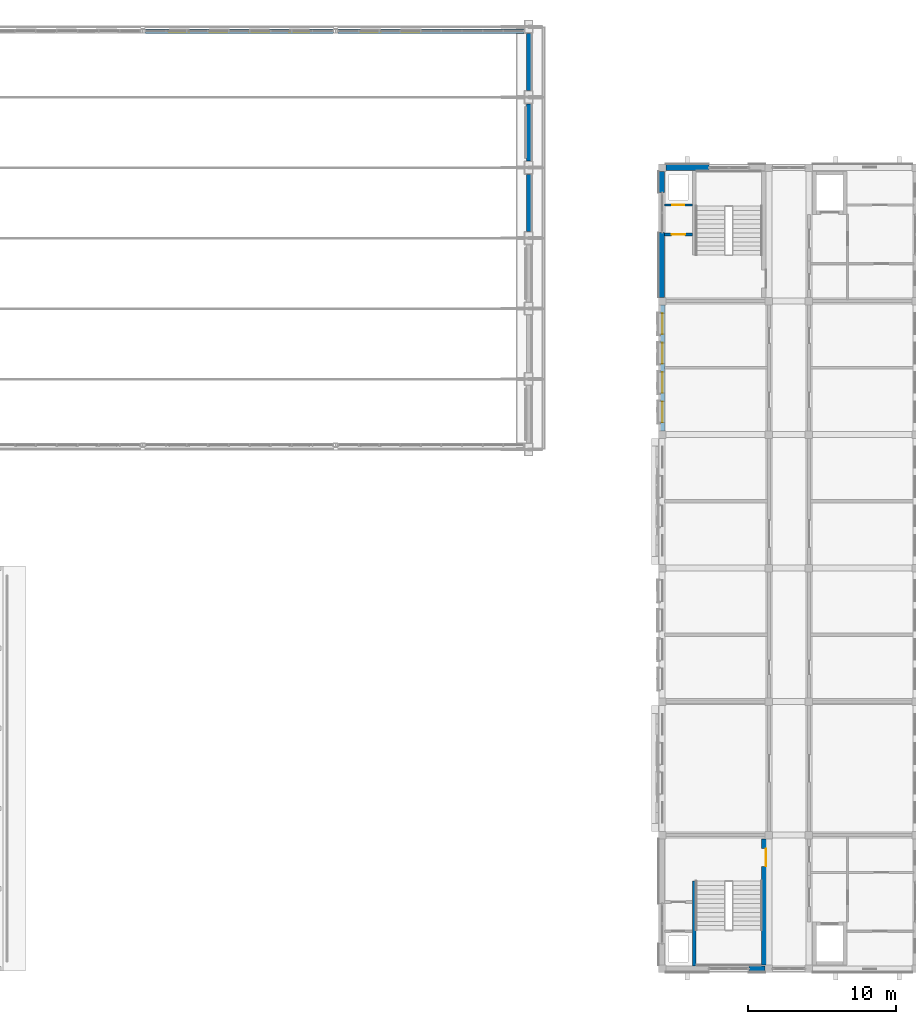
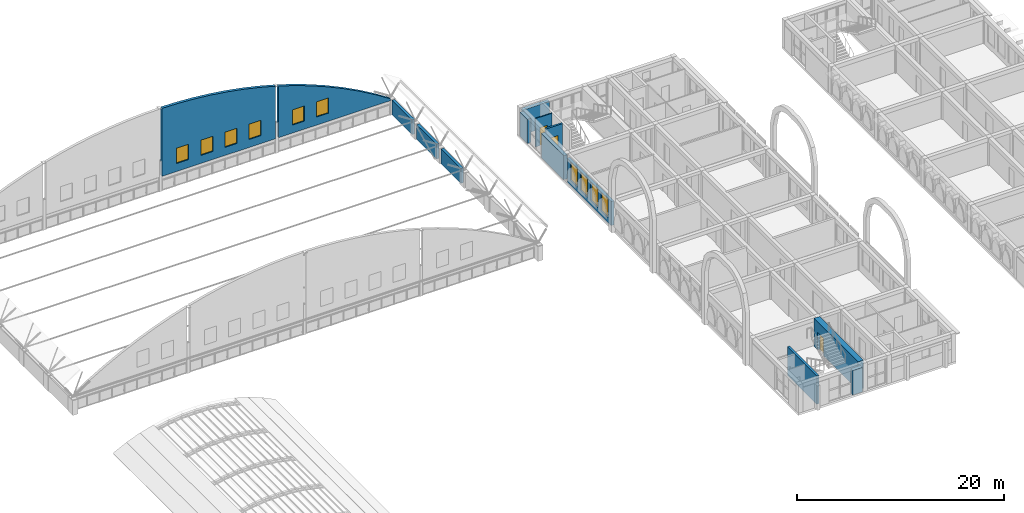
# One storey, part 37 of 65: 14 walls, 10 windows, 3 doors, 13 openings.
"""IFC4 building model written with IfcOpenShell, lengths in metres."""

from ifc_helpers import new_model, si_unit, direction, frame, frame_2d, origin, place, context, subcontext, project, spatial, polyline, rectangle, outline, extrude, material, layer, layer_set, type_object, element, fill, save


model = new_model("IFC4")

# Units and contexts
model_context = context("Model", 3, precision=1e-05, world=origin(), true_north=direction((0.0, 1.0)))
body_context = subcontext(model_context, "Body", "Model", "MODEL_VIEW")
ifc_project = project(units=[si_unit("LENGTHUNIT", "METRE"), si_unit("AREAUNIT", "SQUARE_METRE"), si_unit("VOLUMEUNIT", "CUBIC_METRE"), si_unit("PLANEANGLEUNIT", "RADIAN"), si_unit("MASSUNIT", "GRAM", prefix="KILO")], contexts=[model_context])

# Site, building, storey
site_placement = place(None, origin())
site = spatial("IfcSite", under=ifc_project, at=site_placement, CompositionType="ELEMENT")
building_placement = place(site_placement, origin())
building = spatial("IfcBuilding", under=site, at=building_placement, Name="Elbe Cascade School", CompositionType="ELEMENT")
storey_placement = place(building_placement, frame((0.0, 0.0, 11.699951171875)))
storey = spatial("IfcBuildingStorey", under=building, at=storey_placement, Name="L03", CompositionType="ELEMENT", Elevation=11.699951171875)

# Wall, opening, door
ifc_material_1 = material(Name="Masonry - lime-sand block, plastered", Category="masonry")
ifc_layer_1 = layer(ifc_material_1, 0.114990234375)
ifc_layer_set_1 = layer_set([ifc_layer_1], Name="Masonry - lime-sand block, plastered")
wall_type_1 = type_object("IfcWallType", Name="Bar light partition wall lime-sand block 115", PredefinedType="PARTITIONING", material=ifc_layer_set_1)
wall_1_placement = place(storey_placement, frame((69.179931640625, 57.47998046875, 0.0), z_axis=(0.0, 0.0, 1.0), x_axis=(1.0, 0.0, 0.0)))
wall_1 = element("IfcWall", 1, at=wall_1_placement, inside=storey, type_object=wall_type_1, Name="Bar light partition wall lime-sand block 115", PredefinedType="PARTITIONING", context=body_context, shape_type="SweptSolid", body=[
    extrude(rectangle(XDim=1.8701171875, YDim=0.114990234375, at=frame_2d((0.93505859375, 0.0))), origin(), (0.0, 0.0, 1.0), 3.35009765625),
])
opening_1_placement = place(wall_1_placement, frame((0.52001953125, 0.0, 0.0)))
opening_1 = element("IfcOpeningElement", 2, at=opening_1_placement, cuts=wall_1, Name="Opening D3.027", PredefinedType="OPENING", context=body_context, shape_type="SweptSolid", body=[
    extrude(rectangle(XDim=0.800048828125, YDim=2.10009765625, at=frame_2d((0.39990234375, 1.050048828125))), frame((0.0, 0.0673828125, 0.0), z_axis=(0.0, -1.0, 0.0), x_axis=(1.0, 0.0, 0.0)), (0.0, 0.0, 1.0), 0.135009765625),
])
ifc_material_2 = material(Name="Timber door leaf, steel frame", Category="steel")
door_type_1 = type_object("IfcDoorType", Name="Bar door 800x2100", OperationType="NOTDEFINED", PredefinedType="DOOR", material=ifc_material_2)
door_1_placement = place(opening_1_placement, origin())
door_1 = element("IfcDoor", 3, at=door_1_placement, inside=storey, type_object=door_type_1, Name="Door A3.14", OperationType="SINGLE_SWING_LEFT", OverallHeight=2.10009765625, OverallWidth=0.800048828125, PredefinedType="DOOR", context=body_context, shape_type="SweptSolid", body=[
    extrude(rectangle(XDim=0.800048828125, YDim=2.10009765625, at=frame_2d((0.39990234375, 1.050048828125))), frame((0.0, 0.02490234375, 0.0), z_axis=(0.0, -1.0, 0.0), x_axis=(1.0, 0.0, 0.0)), (0.0, 0.0, 1.0), 0.050048828125),
])
fill(opening_1, door_1)

# Wall
ifc_material_3 = material(Name="Concrete C30/37", Category="concrete")
ifc_layer_2 = layer(ifc_material_3, 0.25)
ifc_layer_set_2 = layer_set([ifc_layer_2], Name="Concrete C30/37")
wall_type_2 = type_object("IfcWallType", Name="Bar stair core wall RC 250", PredefinedType="SOLIDWALL", material=ifc_layer_set_2)
wall_2_placement = place(storey_placement, frame((71.175048828125, 6.179931640625, 0.0), z_axis=(0.0, 0.0, 1.0), x_axis=(0.0, 1.0, 0.0)))
element("IfcWall", 4, at=wall_2_placement, inside=storey, type_object=wall_type_2, Name="Bar stair core wall RC 250", PredefinedType="SOLIDWALL", context=body_context, shape_type="SweptSolid", body=[
    extrude(rectangle(XDim=5.719970703125, YDim=0.25, at=frame_2d((2.85986328125, 0.0))), origin(), (0.0, 0.0, 1.0), 3.35009765625),
])

# Wall, opening, door
ifc_material_4 = material(Name="Concrete C30/37", Category="concrete")
ifc_layer_3 = layer(ifc_material_4, 0.60009765625)
ifc_layer_set_3 = layer_set([ifc_layer_3], Name="Concrete C30/37")
wall_type_3 = type_object("IfcWallType", Name="Bar stair core wall RC 600", PredefinedType="SOLIDWALL", material=ifc_layer_set_3)
wall_3_placement = place(storey_placement, frame((76.0, 6.25, 0.0), z_axis=(0.0, 0.0, 1.0), x_axis=(0.0, 1.0, 0.0)))
wall_3 = element("IfcWall", 5, at=wall_3_placement, inside=storey, type_object=wall_type_3, Name="Bar stair core wall RC 600", PredefinedType="SOLIDWALL", context=body_context, shape_type="SweptSolid", body=[
    extrude(rectangle(XDim=8.5, YDim=0.60009765625, at=frame_2d((4.25, 0.0))), origin(), (0.0, 0.0, 1.0), 3.35009765625),
])
opening_2_placement = place(wall_3_placement, frame((6.64990234375, 0.0, 0.0)))
opening_2 = element("IfcOpeningElement", 6, at=opening_2_placement, cuts=wall_3, Name="Opening D3.008", PredefinedType="OPENING", context=body_context, shape_type="SweptSolid", body=[
    extrude(rectangle(XDim=1.199951171875, YDim=2.10009765625, at=frame_2d((0.60009765625, 1.050048828125))), frame((0.0, 0.31005859375, 0.0), z_axis=(0.0, -1.0, 0.0), x_axis=(1.0, 0.0, 0.0)), (0.0, 0.0, 1.0), 0.6201171875),
])
ifc_material_5 = material(Name="Timber door leaf, fire-resisting and smoke-tight, steel frame", Category="steel")
door_type_2 = type_object("IfcDoorType", Name="Bar door FD30S 1200x2100", OperationType="NOTDEFINED", PredefinedType="DOOR", material=ifc_material_5)
door_2_placement = place(opening_2_placement, origin())
door_2 = element("IfcDoor", 7, at=door_2_placement, inside=storey, type_object=door_type_2, Name="Door A3.03", OperationType="SINGLE_SWING_RIGHT", OverallHeight=2.10009765625, OverallWidth=1.199951171875, PredefinedType="DOOR", context=body_context, shape_type="SweptSolid", body=[
    extrude(rectangle(XDim=1.199951171875, YDim=2.10009765625, at=frame_2d((0.60009765625, 1.050048828125))), frame((0.0, 0.02490234375, 0.0), z_axis=(0.0, -1.0, 0.0), x_axis=(1.0, 0.0, 0.0)), (0.0, 0.0, 1.0), 0.050048828125),
])
fill(opening_2, door_2)

ifc_material_6 = material(Name="Concrete C30/37", Category="concrete")
ifc_layer_4 = layer(ifc_material_6, 0.199951171875)
ifc_layer_set_4 = layer_set([ifc_layer_4], Name="Concrete C30/37")
wall_type_4 = type_object("IfcWallType", Name="Bar stair lobby wall RC 200", PredefinedType="SOLIDWALL", material=ifc_layer_set_4)
wall_4_placement = place(storey_placement, frame((69.179931640625, 55.5, 0.0), z_axis=(0.0, 0.0, 1.0), x_axis=(1.0, 0.0, 0.0)))
wall_4 = element("IfcWall", 8, at=wall_4_placement, inside=storey, type_object=wall_type_4, Name="Bar stair lobby wall RC 200", PredefinedType="SOLIDWALL", context=body_context, shape_type="SweptSolid", body=[
    extrude(rectangle(XDim=1.8701171875, YDim=0.199951171875, at=frame_2d((0.93505859375, 0.0))), origin(), (0.0, 0.0, 1.0), 3.35009765625),
])
opening_3_placement = place(wall_4_placement, frame((0.469970703125, 0.0, 0.0)))
opening_3 = element("IfcOpeningElement", 9, at=opening_3_placement, cuts=wall_4, Name="Opening D3.025", PredefinedType="OPENING", context=body_context, shape_type="SweptSolid", body=[
    extrude(rectangle(XDim=0.89990234375, YDim=2.10009765625, at=frame_2d((0.449951171875, 1.050048828125))), frame((0.0, 0.10986328125, 0.0), z_axis=(0.0, -1.0, 0.0), x_axis=(1.0, 0.0, 0.0)), (0.0, 0.0, 1.0), 0.219970703125),
])
ifc_material_7 = material(Name="Timber door leaf, fire-resisting and smoke-tight, steel frame", Category="steel")
door_type_3 = type_object("IfcDoorType", Name="Bar door FD30S 900x2100", OperationType="NOTDEFINED", PredefinedType="DOOR", material=ifc_material_7)
door_3_placement = place(opening_3_placement, origin())
door_3 = element("IfcDoor", 10, at=door_3_placement, inside=storey, type_object=door_type_3, Name="Door A3.13", OperationType="SINGLE_SWING_RIGHT", OverallHeight=2.10009765625, OverallWidth=0.89990234375, PredefinedType="DOOR", context=body_context, shape_type="SweptSolid", body=[
    extrude(rectangle(XDim=0.89990234375, YDim=2.10009765625, at=frame_2d((0.449951171875, 1.050048828125))), frame((0.0, 0.02490234375, 0.0), z_axis=(0.0, -1.0, 0.0), x_axis=(1.0, 0.0, 0.0)), (0.0, 0.0, 1.0), 0.050048828125),
])
fill(opening_3, door_3)

# Wall, openings, windows
ifc_material_8 = material(Name="Brick masonry - red clinker, cavity wall with render backing", Category="masonry")
ifc_layer_5 = layer(ifc_material_8, 0.300048828125)
ifc_layer_set_5 = layer_set([ifc_layer_5], Name="Brick masonry - red clinker, cavity wall with render backing")
wall_type_5 = type_object("IfcWallType", Name="Bars envelope External wall - clinker brick cavity, 300 upper floors", PredefinedType="STANDARD", material=ifc_layer_set_5)
wall_5_placement = place(storey_placement, frame((69.030029296875, 42.25, 0.0), z_axis=(0.0, 0.0, 1.0), x_axis=(0.0, 1.0, 0.0)))
wall_5 = element("IfcWall", 11, at=wall_5_placement, inside=storey, type_object=wall_type_5, Name="External wall W30 A.L03.w5", PredefinedType="STANDARD", context=body_context, shape_type="SweptSolid", body=[
    extrude(rectangle(XDim=8.5, YDim=0.300048828125, at=frame_2d((4.25, 0.0))), origin(), (0.0, 0.0, 1.0), 2.85009765625),
])
opening_4_placement = place(wall_5_placement, frame((0.580078125, 0.0, 0.60009765625)))
opening_4 = element("IfcOpeningElement", 12, at=opening_4_placement, cuts=wall_5, Name="Opening W3.028", PredefinedType="OPENING", context=body_context, shape_type="SweptSolid", body=[
    extrude(rectangle(XDim=1.39990234375, YDim=2.199951171875, at=frame_2d((0.699951171875, 1.10009765625))), frame((0.0, 0.159912109375, 0.0), z_axis=(0.0, -1.0, 0.0), x_axis=(1.0, 0.0, 0.0)), (0.0, 0.0, 1.0), 0.320068359375),
])
opening_5_placement = place(wall_5_placement, frame((2.56005859375, 0.0, 0.60009765625)))
opening_5 = element("IfcOpeningElement", 13, at=opening_5_placement, cuts=wall_5, Name="Opening W3.030", PredefinedType="OPENING", context=body_context, shape_type="SweptSolid", body=[
    extrude(rectangle(XDim=1.39990234375, YDim=2.199951171875, at=frame_2d((0.699951171875, 1.10009765625))), frame((0.0, 0.159912109375, 0.0), z_axis=(0.0, -1.0, 0.0), x_axis=(1.0, 0.0, 0.0)), (0.0, 0.0, 1.0), 0.320068359375),
])
opening_6_placement = place(wall_5_placement, frame((4.5400390625, 0.0, 0.60009765625)))
opening_6 = element("IfcOpeningElement", 14, at=opening_6_placement, cuts=wall_5, Name="Opening W3.032", PredefinedType="OPENING", context=body_context, shape_type="SweptSolid", body=[
    extrude(rectangle(XDim=1.39990234375, YDim=2.199951171875, at=frame_2d((0.699951171875, 1.10009765625))), frame((0.0, 0.159912109375, 0.0), z_axis=(0.0, -1.0, 0.0), x_axis=(1.0, 0.0, 0.0)), (0.0, 0.0, 1.0), 0.320068359375),
])
opening_7_placement = place(wall_5_placement, frame((6.52001953125, 0.0, 0.60009765625)))
opening_7 = element("IfcOpeningElement", 15, at=opening_7_placement, cuts=wall_5, Name="Opening W3.034", PredefinedType="OPENING", context=body_context, shape_type="SweptSolid", body=[
    extrude(rectangle(XDim=1.39990234375, YDim=2.199951171875, at=frame_2d((0.699951171875, 1.10009765625))), frame((0.0, 0.159912109375, 0.0), z_axis=(0.0, -1.0, 0.0), x_axis=(1.0, 0.0, 0.0)), (0.0, 0.0, 1.0), 0.320068359375),
])
ifc_material_9 = material(Name="Aluminium frame with double glazing, bronze anodised", Category="aluminium")
window_type_1 = type_object("IfcWindowType", Name="Bars envelope Window 1400 x 2200, classroom, aluminium double glazed", PartitioningType="DOUBLE_PANEL_VERTICAL", PredefinedType="WINDOW", material=ifc_material_9)
window_1_placement = place(opening_4_placement, origin())
window_1 = element("IfcWindow", 16, at=window_1_placement, inside=storey, type_object=window_type_1, Name="Window WN7 A.L03.w5.1", OverallHeight=2.199951171875, OverallWidth=1.39990234375, PartitioningType="DOUBLE_PANEL_VERTICAL", PredefinedType="WINDOW", context=body_context, shape_type="SweptSolid", body=[
    extrude(rectangle(XDim=1.39990234375, YDim=2.199951171875, at=frame_2d((0.699951171875, 1.10009765625))), frame((0.0, 0.030029296875, 0.0), z_axis=(0.0, -1.0, 0.0), x_axis=(1.0, 0.0, 0.0)), (0.0, 0.0, 1.0), 0.06005859375),
])
fill(opening_4, window_1)
window_2_placement = place(opening_5_placement, origin())
window_2 = element("IfcWindow", 17, at=window_2_placement, inside=storey, type_object=window_type_1, Name="Window WN7 A.L03.w5.2", OverallHeight=2.199951171875, OverallWidth=1.39990234375, PartitioningType="DOUBLE_PANEL_VERTICAL", PredefinedType="WINDOW", context=body_context, shape_type="SweptSolid", body=[
    extrude(rectangle(XDim=1.39990234375, YDim=2.199951171875, at=frame_2d((0.699951171875, 1.10009765625))), frame((0.0, 0.030029296875, 0.0), z_axis=(0.0, -1.0, 0.0), x_axis=(1.0, 0.0, 0.0)), (0.0, 0.0, 1.0), 0.06005859375),
])
fill(opening_5, window_2)
window_3_placement = place(opening_6_placement, origin())
window_3 = element("IfcWindow", 18, at=window_3_placement, inside=storey, type_object=window_type_1, Name="Window WN7 A.L03.w5.3", OverallHeight=2.199951171875, OverallWidth=1.39990234375, PartitioningType="DOUBLE_PANEL_VERTICAL", PredefinedType="WINDOW", context=body_context, shape_type="SweptSolid", body=[
    extrude(rectangle(XDim=1.39990234375, YDim=2.199951171875, at=frame_2d((0.699951171875, 1.10009765625))), frame((0.0, 0.030029296875, 0.0), z_axis=(0.0, -1.0, 0.0), x_axis=(1.0, 0.0, 0.0)), (0.0, 0.0, 1.0), 0.06005859375),
])
fill(opening_6, window_3)
window_4_placement = place(opening_7_placement, origin())
window_4 = element("IfcWindow", 19, at=window_4_placement, inside=storey, type_object=window_type_1, Name="Window WN7 A.L03.w5.4", OverallHeight=2.199951171875, OverallWidth=1.39990234375, PartitioningType="DOUBLE_PANEL_VERTICAL", PredefinedType="WINDOW", context=body_context, shape_type="SweptSolid", body=[
    extrude(rectangle(XDim=1.39990234375, YDim=2.199951171875, at=frame_2d((0.699951171875, 1.10009765625))), frame((0.0, 0.030029296875, 0.0), z_axis=(0.0, -1.0, 0.0), x_axis=(1.0, 0.0, 0.0)), (0.0, 0.0, 1.0), 0.06005859375),
])
fill(opening_7, window_4)

# Walls
ifc_material_10 = material(Name="Brick masonry - red clinker, solid, sandstone-faced", Category="masonry")
ifc_layer_6 = layer(ifc_material_10, 0.39990234375)
ifc_layer_set_6 = layer_set([ifc_layer_6], Name="Brick masonry - red clinker, solid, sandstone-faced")
wall_type_6 = type_object("IfcWallType", Name="Bars envelope External wall - solid masonry core strip, sandstone faced, 400", PredefinedType="STANDARD", material=ifc_layer_set_6)
wall_6_placement = place(storey_placement, frame((68.97998046875, 51.25, 0.0), z_axis=(0.0, 0.0, 1.0), x_axis=(0.0, 1.0, 0.0)))
element("IfcWall", 20, at=wall_6_placement, inside=storey, type_object=wall_type_6, Name="External wall W31 A.L03.w6a", PredefinedType="STANDARD", context=body_context, shape_type="SweptSolid", body=[
    extrude(rectangle(XDim=4.360107421875, YDim=0.39990234375, at=frame_2d((2.18017578125, 0.0))), origin(), (0.0, 0.0, 1.0), 2.85009765625),
])
wall_7_placement = place(storey_placement, frame((68.97998046875, 58.31005859375, 0.0), z_axis=(0.0, 0.0, 1.0), x_axis=(0.0, 1.0, 0.0)))
element("IfcWall", 21, at=wall_7_placement, inside=storey, type_object=wall_type_6, Name="External wall W31 A.L03.w6b", PredefinedType="STANDARD", context=body_context, shape_type="SweptSolid", body=[
    extrude(rectangle(XDim=1.43994140625, YDim=0.39990234375, at=frame_2d((0.719970703125, 0.0))), origin(), (0.0, 0.0, 1.0), 2.85009765625),
])
wall_8_placement = place(storey_placement, frame((75.949951171875, 5.97998046875, 0.0), z_axis=(0.0, 0.0, 1.0), x_axis=(-1.0, 0.0, 0.0)))
element("IfcWall", 22, at=wall_8_placement, inside=storey, type_object=wall_type_6, Name="External wall W31 A.L03.s1b", PredefinedType="STANDARD", context=body_context, shape_type="SweptSolid", body=[
    extrude(rectangle(XDim=1.099853515625, YDim=0.39990234375, at=frame_2d((0.5498046875, 0.0))), origin(), (0.0, 0.0, 1.0), 2.900146484375),
])
wall_9_placement = place(storey_placement, frame((69.25, 60.02001953125, 0.0), z_axis=(0.0, 0.0, 1.0), x_axis=(1.0, 0.0, 0.0)))
element("IfcWall", 23, at=wall_9_placement, inside=storey, type_object=wall_type_6, Name="External wall W31 A.L03.n1a", PredefinedType="STANDARD", context=body_context, shape_type="SweptSolid", body=[
    extrude(rectangle(XDim=2.89990234375, YDim=0.39990234375, at=frame_2d((1.449951171875, 0.0))), origin(), (0.0, 0.0, 1.0), 2.900146484375),
])

# Wall, openings, windows
ifc_material_11 = material(Name="Brick masonry - red clinker", Category="masonry")
ifc_layer_7 = layer(ifc_material_11, 0.300048828125)
ifc_layer_set_7 = layer_set([ifc_layer_7], Name="Brick masonry - red clinker")
wall_type_7 = type_object("IfcWallType", Name="Hall brick gable wall 300", PredefinedType="SOLIDWALL", material=ifc_layer_set_7)
wall_10_placement = place(storey_placement, frame((34.14990234375, 69.199951171875, 1.75), z_axis=(0.0, 0.0, 1.0), x_axis=(1.0, 0.0, 0.0)))
wall_10 = element("IfcWall", 24, at=wall_10_placement, inside=storey, type_object=wall_type_7, Name="Brick gable N3", PredefinedType="SOLIDWALL", context=body_context, shape_type="SweptSolid", body=[
    extrude(outline(polyline([(0.0, 0.0), (12.7001953125, 0.0), (12.699951171875, 6.20263671875), (10.992919921875, 6.664306640625), (9.1357421875, 7.0859375), (7.278564453125, 7.42822265625), (5.42138671875, 7.692626953125), (3.564208984375, 7.880615234375), (1.70703125, 7.9931640625), (0.0, 8.027587890625), (0.0, 0.0)])), frame((0.0, 0.14990234375, 0.0), z_axis=(0.0, -1.0, 0.0), x_axis=(1.0, 0.0, 0.0)), (0.0, 0.0, 1.0), 0.300048828125),
])
opening_8_placement = place(wall_10_placement, frame((1.625, 0.0, 0.949951171875)))
opening_8 = element("IfcOpeningElement", 25, at=opening_8_placement, cuts=wall_10, Name="Opening W3.101", PredefinedType="OPENING", context=body_context, shape_type="SweptSolid", body=[
    extrude(rectangle(XDim=1.35009765625, YDim=1.800048828125, at=frame_2d((0.675048828125, 0.89990234375))), frame((0.0, 0.159912109375, 0.0), z_axis=(0.0, -1.0, 0.0), x_axis=(1.0, 0.0, 0.0)), (0.0, 0.0, 1.0), 0.320068359375),
])
opening_9_placement = place(wall_10_placement, frame((4.324951171875, 0.0, 0.949951171875)))
opening_9 = element("IfcOpeningElement", 26, at=opening_9_placement, cuts=wall_10, Name="Opening W3.102", PredefinedType="OPENING", context=body_context, shape_type="SweptSolid", body=[
    extrude(rectangle(XDim=1.35009765625, YDim=1.800048828125, at=frame_2d((0.675048828125, 0.89990234375))), frame((0.0, 0.159912109375, 0.0), z_axis=(0.0, -1.0, 0.0), x_axis=(1.0, 0.0, 0.0)), (0.0, 0.0, 1.0), 0.320068359375),
])
opening_10_placement = place(wall_10_placement, frame((7.02490234375, 0.0, 0.949951171875)))
opening_10 = element("IfcOpeningElement", 27, at=opening_10_placement, cuts=wall_10, Name="Opening W3.103", PredefinedType="OPENING", context=body_context, shape_type="SweptSolid", body=[
    extrude(rectangle(XDim=1.35009765625, YDim=1.800048828125, at=frame_2d((0.675048828125, 0.89990234375))), frame((0.0, 0.159912109375, 0.0), z_axis=(0.0, -1.0, 0.0), x_axis=(1.0, 0.0, 0.0)), (0.0, 0.0, 1.0), 0.320068359375),
])
opening_11_placement = place(wall_10_placement, frame((9.72509765625, 0.0, 0.949951171875)))
opening_11 = element("IfcOpeningElement", 28, at=opening_11_placement, cuts=wall_10, Name="Opening W3.104", PredefinedType="OPENING", context=body_context, shape_type="SweptSolid", body=[
    extrude(rectangle(XDim=1.35009765625, YDim=1.800048828125, at=frame_2d((0.675048828125, 0.89990234375))), frame((0.0, 0.159912109375, 0.0), z_axis=(0.0, -1.0, 0.0), x_axis=(1.0, 0.0, 0.0)), (0.0, 0.0, 1.0), 0.320068359375),
])
ifc_material_12 = material(Name="Glass - double glazed low-E", Category="glass")
window_type_2 = type_object("IfcWindowType", Name="Hall gable window 1350x1800", PartitioningType="SINGLE_PANEL", PredefinedType="WINDOW", material=ifc_material_12)
window_5_placement = place(opening_8_placement, origin())
window_5 = element("IfcWindow", 29, at=window_5_placement, inside=storey, type_object=window_type_2, Name="Gable window N3.1", OverallHeight=1.800048828125, OverallWidth=1.35009765625, PartitioningType="SINGLE_PANEL", PredefinedType="WINDOW", context=body_context, shape_type="SweptSolid", body=[
    extrude(rectangle(XDim=1.35009765625, YDim=1.800048828125, at=frame_2d((0.675048828125, 0.89990234375))), frame((0.0, 0.030029296875, 0.0), z_axis=(0.0, -1.0, 0.0), x_axis=(1.0, 0.0, 0.0)), (0.0, 0.0, 1.0), 0.06005859375),
])
fill(opening_8, window_5)
window_6_placement = place(opening_9_placement, origin())
window_6 = element("IfcWindow", 30, at=window_6_placement, inside=storey, type_object=window_type_2, Name="Gable window N3.2", OverallHeight=1.800048828125, OverallWidth=1.35009765625, PartitioningType="SINGLE_PANEL", PredefinedType="WINDOW", context=body_context, shape_type="SweptSolid", body=[
    extrude(rectangle(XDim=1.35009765625, YDim=1.800048828125, at=frame_2d((0.675048828125, 0.89990234375))), frame((0.0, 0.030029296875, 0.0), z_axis=(0.0, -1.0, 0.0), x_axis=(1.0, 0.0, 0.0)), (0.0, 0.0, 1.0), 0.06005859375),
])
fill(opening_9, window_6)
window_7_placement = place(opening_10_placement, origin())
window_7 = element("IfcWindow", 31, at=window_7_placement, inside=storey, type_object=window_type_2, Name="Gable window N3.3", OverallHeight=1.800048828125, OverallWidth=1.35009765625, PartitioningType="SINGLE_PANEL", PredefinedType="WINDOW", context=body_context, shape_type="SweptSolid", body=[
    extrude(rectangle(XDim=1.35009765625, YDim=1.800048828125, at=frame_2d((0.675048828125, 0.89990234375))), frame((0.0, 0.030029296875, 0.0), z_axis=(0.0, -1.0, 0.0), x_axis=(1.0, 0.0, 0.0)), (0.0, 0.0, 1.0), 0.06005859375),
])
fill(opening_10, window_7)
window_8_placement = place(opening_11_placement, origin())
window_8 = element("IfcWindow", 32, at=window_8_placement, inside=storey, type_object=window_type_2, Name="Gable window N3.4", OverallHeight=1.800048828125, OverallWidth=1.35009765625, PartitioningType="SINGLE_PANEL", PredefinedType="WINDOW", context=body_context, shape_type="SweptSolid", body=[
    extrude(rectangle(XDim=1.35009765625, YDim=1.800048828125, at=frame_2d((0.675048828125, 0.89990234375))), frame((0.0, 0.030029296875, 0.0), z_axis=(0.0, -1.0, 0.0), x_axis=(1.0, 0.0, 0.0)), (0.0, 0.0, 1.0), 0.06005859375),
])
fill(opening_11, window_8)

wall_11_placement = place(storey_placement, frame((47.14990234375, 69.199951171875, 1.75), z_axis=(0.0, 0.0, 1.0), x_axis=(1.0, 0.0, 0.0)))
wall_11 = element("IfcWall", 33, at=wall_11_placement, inside=storey, type_object=wall_type_7, Name="Brick gable N4", PredefinedType="SOLIDWALL", context=body_context, shape_type="SweptSolid", body=[
    extrude(outline(polyline([(0.0, 0.0), (12.550048828125, 0.0), (12.550048828125, 0.203369140625), (10.992919921875, 1.208251953125), (9.1357421875, 2.2900390625), (7.278564453125, 3.26025390625), (5.42138671875, 4.126953125), (3.564208984375, 4.895751953125), (1.70703125, 5.572265625), (0.0, 6.11328125), (0.0, 0.0)])), frame((0.0, 0.14990234375, 0.0), z_axis=(0.0, -1.0, 0.0), x_axis=(1.0, 0.0, 0.0)), (0.0, 0.0, 1.0), 0.300048828125),
])
opening_12_placement = place(wall_11_placement, frame((1.550048828125, 0.0, 0.949951171875)))
opening_12 = element("IfcOpeningElement", 34, at=opening_12_placement, cuts=wall_11, Name="Opening W3.105", PredefinedType="OPENING", context=body_context, shape_type="SweptSolid", body=[
    extrude(rectangle(XDim=1.35009765625, YDim=1.800048828125, at=frame_2d((0.675048828125, 0.89990234375))), frame((0.0, 0.159912109375, 0.0), z_axis=(0.0, -1.0, 0.0), x_axis=(1.0, 0.0, 0.0)), (0.0, 0.0, 1.0), 0.320068359375),
])
opening_13_placement = place(wall_11_placement, frame((4.25, 0.0, 0.949951171875)))
opening_13 = element("IfcOpeningElement", 35, at=opening_13_placement, cuts=wall_11, Name="Opening W3.106", PredefinedType="OPENING", context=body_context, shape_type="SweptSolid", body=[
    extrude(rectangle(XDim=1.35009765625, YDim=1.800048828125, at=frame_2d((0.675048828125, 0.89990234375))), frame((0.0, 0.159912109375, 0.0), z_axis=(0.0, -1.0, 0.0), x_axis=(1.0, 0.0, 0.0)), (0.0, 0.0, 1.0), 0.320068359375),
])
window_9_placement = place(opening_12_placement, origin())
window_9 = element("IfcWindow", 36, at=window_9_placement, inside=storey, type_object=window_type_2, Name="Gable window N4.1", OverallHeight=1.800048828125, OverallWidth=1.35009765625, PartitioningType="SINGLE_PANEL", PredefinedType="WINDOW", context=body_context, shape_type="SweptSolid", body=[
    extrude(rectangle(XDim=1.35009765625, YDim=1.800048828125, at=frame_2d((0.675048828125, 0.89990234375))), frame((0.0, 0.030029296875, 0.0), z_axis=(0.0, -1.0, 0.0), x_axis=(1.0, 0.0, 0.0)), (0.0, 0.0, 1.0), 0.06005859375),
])
fill(opening_12, window_9)
window_10_placement = place(opening_13_placement, origin())
window_10 = element("IfcWindow", 37, at=window_10_placement, inside=storey, type_object=window_type_2, Name="Gable window N4.2", OverallHeight=1.800048828125, OverallWidth=1.35009765625, PartitioningType="SINGLE_PANEL", PredefinedType="WINDOW", context=body_context, shape_type="SweptSolid", body=[
    extrude(rectangle(XDim=1.35009765625, YDim=1.800048828125, at=frame_2d((0.675048828125, 0.89990234375))), frame((0.0, 0.030029296875, 0.0), z_axis=(0.0, -1.0, 0.0), x_axis=(1.0, 0.0, 0.0)), (0.0, 0.0, 1.0), 0.06005859375),
])
fill(opening_13, window_10)

# Walls
ifc_material_13 = material(Name="Concrete C30/37 wall", Category="concrete")
ifc_layer_8 = layer(ifc_material_13, 0.300048828125)
ifc_layer_set_8 = layer_set([ifc_layer_8], Name="Concrete C30/37 wall")
wall_type_8 = type_object("IfcWallType", Name="Hall wall Concrete C30/37 300", PredefinedType="SOLIDWALL", material=ifc_layer_set_8)
for number, where, z_axis, x_axis, name in (
    (38, (60.0, 55.699951171875, 0.0), (0.0, 0.0, 1.0), (0.0, 1.0, 0.0), "Hall wall E4"),
    (39, (60.0, 60.449951171875, 0.0), (0.0, 0.0, 1.0), (0.0, 1.0, 0.0), "Hall wall E5"),
    (40, (60.0, 65.199951171875, 0.0), (0.0, 0.0, 1.0), (0.0, 1.0, 0.0), "Hall wall E6"),
):
    element("IfcWall", number, at=place(storey_placement, frame(where, z_axis=z_axis, x_axis=x_axis)), inside=storey, type_object=wall_type_8, Name=name, PredefinedType="SOLIDWALL", context=body_context, shape_type="SweptSolid", body=[
        extrude(rectangle(XDim=3.85009765625, YDim=0.300048828125, at=frame_2d((1.925048828125, 0.0))), origin(), (0.0, 0.0, 1.0), 1.75),
    ])

save(model, "model.ifc")
